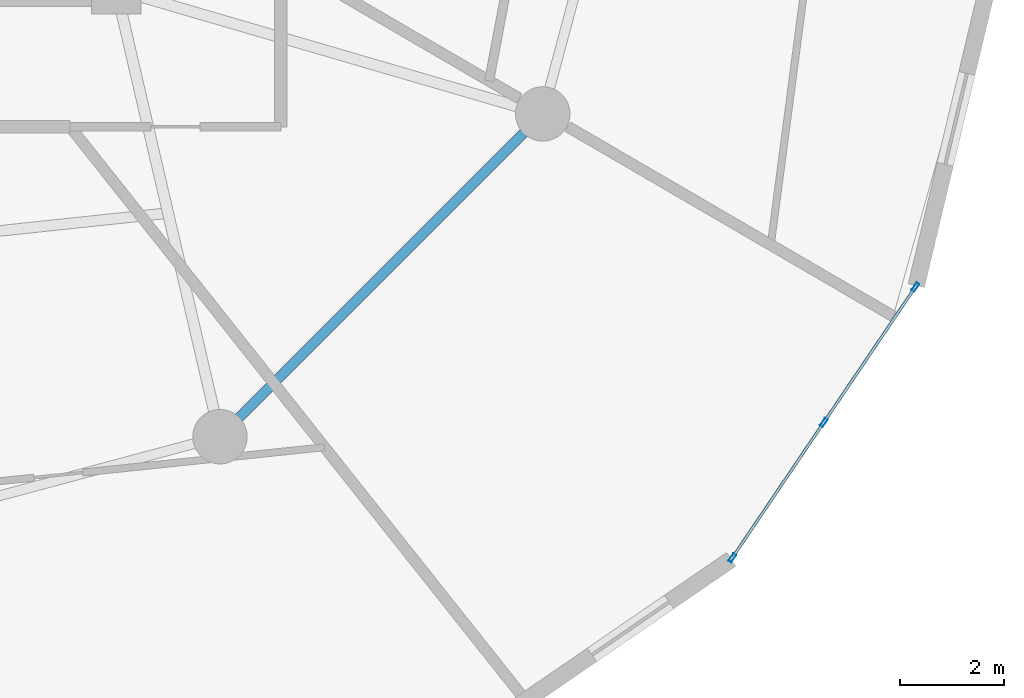
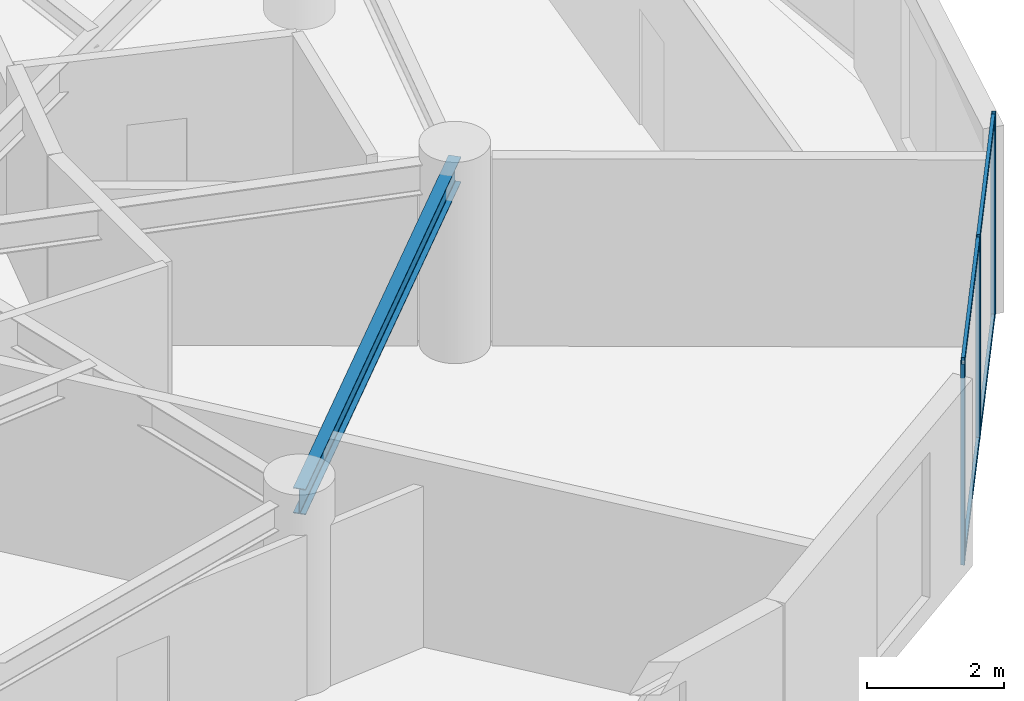
# One storey, part 9 of 22: 7 members, 1 beam, 1 element without a shape of its own.
"""IFC4 building model written with IfcOpenShell, lengths in metres."""

from ifc_helpers import new_model, si_unit, direction, frame, origin, origin_2d, place, context, subcontext, project, spatial, hollow_rectangle, i_section, extrude, source, transform, mapped, material, layer, layer_set, material_profile, profile_set, type_object, element, aggregate, save


model = new_model("IFC4")

# Units and contexts
model_context = context("Model", 3, precision=1e-05, world=origin(), true_north=direction((0.0, 1.0)))
body_context = subcontext(model_context, "Body", "Model", "MODEL_VIEW")
ifc_project = project(units=[si_unit("LENGTHUNIT", "METRE"), si_unit("AREAUNIT", "SQUARE_METRE"), si_unit("VOLUMEUNIT", "CUBIC_METRE"), si_unit("PLANEANGLEUNIT", "RADIAN"), si_unit("MASSUNIT", "GRAM", prefix="KILO")], contexts=[model_context])

# Site, building, storey
site_placement = place(None, origin())
site = spatial("IfcSite", under=ifc_project, at=site_placement, CompositionType="ELEMENT")
building_placement = place(site_placement, origin())
building = spatial("IfcBuilding", under=site, at=building_placement, Name="Solvirekh Grand Hotel", CompositionType="ELEMENT")
storey_placement = place(building_placement, frame((0.0, 0.0, 145.800048828125)))
storey = spatial("IfcBuildingStorey", under=building, at=storey_placement, Name="L37", CompositionType="ELEMENT", Elevation=145.800048828125)

# Beam
ifc_material_1 = material(Name="Steel S355", Category="steel")
ifc_material_profile_1 = material_profile(ifc_material_1, i_section(OverallWidth=0.18994140625, OverallDepth=0.45703125, WebThickness=0.009033203125, FlangeThickness=0.013916015625, FilletRadius=0.012939453125, at=origin_2d()), Name="W460X74")
ifc_profile_set_1 = profile_set([ifc_material_profile_1], Name="Steel S355")
beam_type = type_object("IfcBeamType", Name="Spandrel_Ring_W460", PredefinedType="SPANDREL", material=ifc_profile_set_1)
beam_placement = place(storey_placement, frame((8.5, -14.721923828125, 3.1220703125), z_axis=(0.707106781187, 0.707106781187, 0.0), x_axis=(-0.707106781187, 0.707106781187, 0.0)))
element("IfcBeam", 1, at=beam_placement, inside=storey, type_object=beam_type, Name="L37 perimeter spandrel beam 11", PredefinedType="SPANDREL", context=body_context, shape_type="SweptSolid", body=[
    extrude(i_section(OverallWidth=0.18994140625, OverallDepth=0.45703125, WebThickness=0.009033203125, FlangeThickness=0.013916015625, FilletRadius=0.012939453125, at=origin_2d()), origin(), (0.0, 0.0, 1.0), 8.799072265625),
])

# Curtain wall, members
ifc_material_2 = material(Name="Anodized Bronze Aluminium 6063-T6", Category="aluminium")
ifc_layer = layer(ifc_material_2, 0.175048828125)
ifc_layer_set = layer_set([ifc_layer], Name="Anodized Bronze Aluminium 6063-T6")
curtain_wall_type = type_object("IfcCurtainWallType", Name="CW_Sys3_MidZoneFlushBronzeCW", PredefinedType="NOTDEFINED", material=ifc_layer_set)
curtain_wall_placement = place(storey_placement, origin())
curtain_wall = element("IfcCurtainWall", 2, at=curtain_wall_placement, inside=storey, type_object=curtain_wall_type, Name="L37 unitised bronze-glass curtain wall CW-L37-C01", PredefinedType="NOTDEFINED")
ifc_material_profile_2 = material_profile(ifc_material_2, hollow_rectangle(XDim=0.06494140625, YDim=0.175048828125, WallThickness=0.0048828125, at=origin_2d()), Name="ALU RHS 175X65X5")
ifc_profile_set_2 = profile_set([ifc_material_profile_2], Name="Anodized Bronze Aluminium 6063-T6")
member_type_1 = type_object("IfcMemberType", Name="CWMullion_Sys3", PredefinedType="MULLION", material=ifc_profile_set_2)
shared_shape_1 = source(origin(), body_context, "Body", "SweptSolid", [
    extrude(hollow_rectangle(XDim=0.06494140625, YDim=0.175048828125, WallThickness=0.0048828125, at=origin_2d()), origin(), (0.0, 0.0, 1.0), 3.599853515625),
])
member_1_placement = place(storey_placement, frame((18.375244140625, -17.06005859375, 0.0), z_axis=(0.0, 0.0, 1.0), x_axis=(-0.828433413671, 0.560087563791, 0.0)))
member_1 = element("IfcMember", 3, at=member_1_placement, type_object=member_type_1, Name="U03 mullion 1", PredefinedType="MULLION", context=body_context, shape_type="MappedRepresentation", body=[
    mapped(shared_shape_1, transform((0.0, 0.0, 0.0), x_axis=(1.0, 0.0, 0.0), y_axis=(0.0, 1.0, 0.0), z_axis=(0.0, 0.0, 1.0), scale=1.0)),
])
member_2_placement = place(storey_placement, frame((20.140380859375, -14.448974609375, 0.0), z_axis=(0.0, 0.0, 1.0), x_axis=(-0.828433413671, 0.560087563791, 0.0)))
member_2 = element("IfcMember", 4, at=member_2_placement, type_object=member_type_1, Name="U03 mullion 2", PredefinedType="MULLION", context=body_context, shape_type="MappedRepresentation", body=[
    mapped(shared_shape_1, transform((0.0, 0.0, 0.0), x_axis=(1.0, 0.0, 0.0), y_axis=(0.0, 1.0, 0.0), z_axis=(0.0, 0.0, 1.0), scale=1.0)),
])
member_3_placement = place(storey_placement, frame((21.90576171875, -11.837890625, 0.0), z_axis=(0.0, 0.0, 1.0), x_axis=(-0.828433413671, 0.560087563791, 0.0)))
member_3 = element("IfcMember", 5, at=member_3_placement, type_object=member_type_1, Name="U03 mullion 3", PredefinedType="MULLION", context=body_context, shape_type="MappedRepresentation", body=[
    mapped(shared_shape_1, transform((0.0, 0.0, 0.0), x_axis=(1.0, 0.0, 0.0), y_axis=(0.0, 1.0, 0.0), z_axis=(0.0, 0.0, 1.0), scale=1.0)),
])
ifc_material_profile_3 = material_profile(ifc_material_2, hollow_rectangle(XDim=0.054931640625, YDim=0.1201171875, WallThickness=0.00390625, at=origin_2d()), Name="ALU RHS 120X55X4")
ifc_profile_set_3 = profile_set([ifc_material_profile_3], Name="Anodized Bronze Aluminium 6063-T6")
member_type_2 = type_object("IfcMemberType", Name="CWTransom_Sys3", PredefinedType="USERDEFINED", material=ifc_profile_set_3)
shared_shape_2 = source(origin(), body_context, "Body", "SweptSolid", [
    extrude(hollow_rectangle(XDim=0.054931640625, YDim=0.1201171875, WallThickness=0.00390625, at=origin_2d()), origin(), (0.0, 0.0, 1.0), 3.0869140625),
])
member_4_placement = place(storey_placement, frame((18.393310546875, -17.033203125, 0.02734375), z_axis=(0.560090722072, 0.828431278411, 0.0), x_axis=(-0.828431278411, 0.560090722072, 0.0)))
member_4 = element("IfcMember", 6, at=member_4_placement, type_object=member_type_2, Name="U03 transom 1.1", ObjectType="TRANSOM", PredefinedType="USERDEFINED", context=body_context, shape_type="MappedRepresentation", body=[
    mapped(shared_shape_2, transform((0.0, 0.0, 0.0), x_axis=(1.0, 0.0, 0.0), y_axis=(0.0, 1.0, 0.0), z_axis=(0.0, 0.0, 1.0), scale=1.0)),
])
member_5_placement = place(storey_placement, frame((18.393310546875, -17.033203125, 3.572509765625), z_axis=(0.560090722072, 0.828431278411, 0.0), x_axis=(-0.828431278411, 0.560090722072, 0.0)))
member_5 = element("IfcMember", 7, at=member_5_placement, type_object=member_type_2, Name="U03 transom 1.2", ObjectType="TRANSOM", PredefinedType="USERDEFINED", context=body_context, shape_type="MappedRepresentation", body=[
    mapped(shared_shape_2, transform((0.0, 0.0, 0.0), x_axis=(1.0, 0.0, 0.0), y_axis=(0.0, 1.0, 0.0), z_axis=(0.0, 0.0, 1.0), scale=1.0)),
])
member_6_placement = place(storey_placement, frame((20.15869140625, -14.422119140625, 0.02734375), z_axis=(0.560090722072, 0.828431278411, 0.0), x_axis=(-0.828431278411, 0.560090722072, 0.0)))
member_6 = element("IfcMember", 8, at=member_6_placement, type_object=member_type_2, Name="U03 transom 2.1", ObjectType="TRANSOM", PredefinedType="USERDEFINED", context=body_context, shape_type="MappedRepresentation", body=[
    mapped(shared_shape_2, transform((0.0, 0.0, 0.0), x_axis=(1.0, 0.0, 0.0), y_axis=(0.0, 1.0, 0.0), z_axis=(0.0, 0.0, 1.0), scale=1.0)),
])
member_7_placement = place(storey_placement, frame((20.15869140625, -14.422119140625, 3.572509765625), z_axis=(0.560090722072, 0.828431278411, 0.0), x_axis=(-0.828431278411, 0.560090722072, 0.0)))
member_7 = element("IfcMember", 9, at=member_7_placement, type_object=member_type_2, Name="U03 transom 2.2", ObjectType="TRANSOM", PredefinedType="USERDEFINED", context=body_context, shape_type="MappedRepresentation", body=[
    mapped(shared_shape_2, transform((0.0, 0.0, 0.0), x_axis=(1.0, 0.0, 0.0), y_axis=(0.0, 1.0, 0.0), z_axis=(0.0, 0.0, 1.0), scale=1.0)),
])
aggregate(curtain_wall, [member_1, member_2, member_3, member_4, member_5, member_6, member_7])

save(model, "model.ifc")
